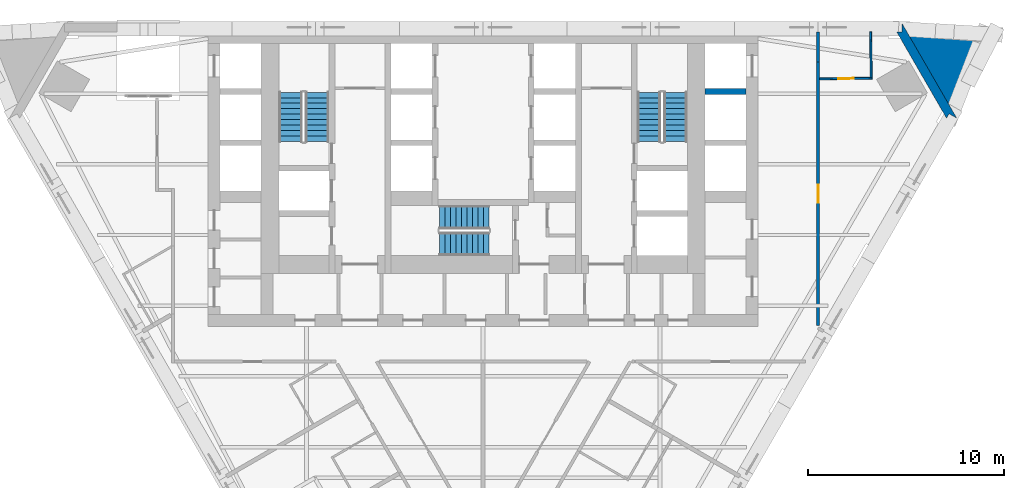
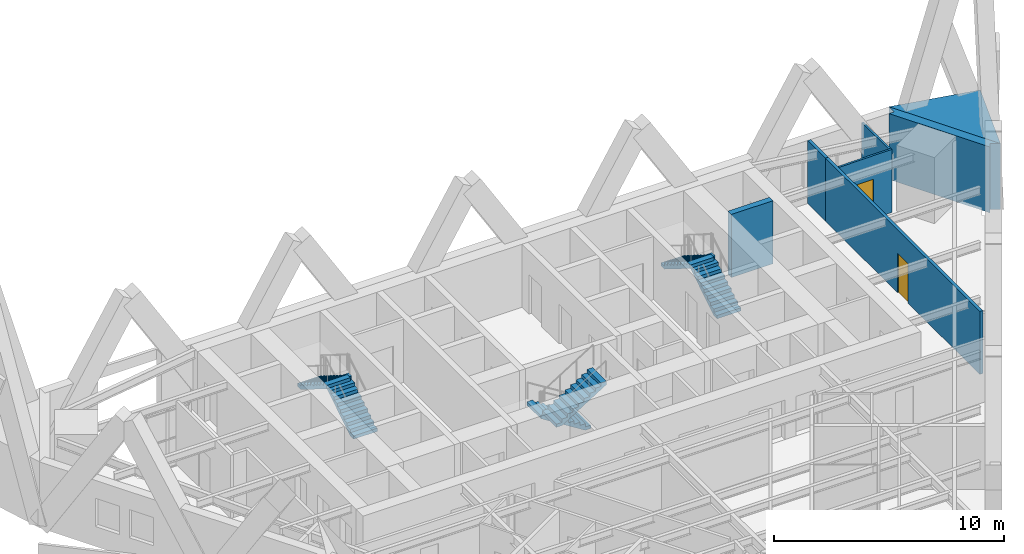
# One storey, part 9 of 11: 7 walls, 6 stair flights, 2 doors, 2 openings, 3 elements without a shape of their own.
"""IFC4 building model written with IfcOpenShell, lengths in metres."""

from ifc_helpers import new_model, si_unit, direction, frame, frame_2d, origin, place, context, subcontext, project, spatial, polyline, rectangle, outline, extrude, material, layer, layer_set, type_object, element, fill, aggregate, save


model = new_model("IFC4")

# Units and contexts
model_context = context("Model", 3, precision=1e-05, world=origin(), true_north=direction((0.0, 1.0)))
body_context = subcontext(model_context, "Body", "Model", "MODEL_VIEW")
ifc_project = project(units=[si_unit("LENGTHUNIT", "METRE"), si_unit("AREAUNIT", "SQUARE_METRE"), si_unit("VOLUMEUNIT", "CUBIC_METRE"), si_unit("PLANEANGLEUNIT", "RADIAN"), si_unit("MASSUNIT", "GRAM", prefix="KILO")], contexts=[model_context])

# Site, building, storey
site_placement = place(None, origin())
site = spatial("IfcSite", under=ifc_project, at=site_placement, CompositionType="ELEMENT")
building_placement = place(site_placement, origin())
building = spatial("IfcBuilding", under=site, at=building_placement, Name="Aloe Facet Convention Tower", CompositionType="ELEMENT")
storey_placement = place(building_placement, frame((0.0, 0.0, 95.800048828125)))
storey = spatial("IfcBuildingStorey", under=building, at=storey_placement, Name="L23", CompositionType="ELEMENT", Elevation=95.800048828125)

# Walls
ifc_material_1 = material(Name="Concrete C70/85", Category="concrete")
ifc_layer_1 = layer(ifc_material_1, 0.300048828125)
ifc_layer_set_1 = layer_set([ifc_layer_1], Name="CR-W-RC300-C7085")
wall_type_1 = type_object("IfcWallType", Name="CR-W-RC300-C7085", PredefinedType="SOLIDWALL", material=ifc_layer_set_1)
wall_1_placement = place(storey_placement, frame((91.300048828125, 131.5, 0.0), z_axis=(0.0, 0.0, 1.0), x_axis=(1.0, 0.0, 0.0)))
element("IfcWall", 1, at=wall_1_placement, inside=storey, type_object=wall_type_1, Name="Core wall L23-049", PredefinedType="SOLIDWALL", context=body_context, shape_type="SweptSolid", body=[
    extrude(rectangle(XDim=2.099853515625, YDim=0.300048828125, at=frame_2d((1.0498046875, 0.0))), origin(), (0.0, 0.0, 1.0), 3.349853515625),
])
ifc_material_2 = material(Name="Precast concrete C40/50", Category="concrete")
ifc_layer_2 = layer(ifc_material_2, 0.449951171875)
ifc_layer_set_2 = layer_set([ifc_layer_2], Name="EV-WALL-PIER")
wall_type_2 = type_object("IfcWallType", Name="EV-WALL-PIER", PredefinedType="SOLIDWALL", material=ifc_layer_set_2)
wall_2_placement = place(storey_placement, frame((0.0, 0.0, -0.150146484375)))
element("IfcWall", 2, at=wall_2_placement, inside=storey, type_object=wall_type_2, Name="EP-L23-C", PredefinedType="SOLIDWALL", context=body_context, shape_type="SweptSolid", body=[
    extrude(outline(polyline([(104.12158203125, 130.150146484375), (103.73193359375, 130.375244140625), (103.601806640625, 130.150146484375), (101.061767578125, 134.550048828125), (101.321533203125, 134.550048828125), (101.321533203125, 135.0), (104.12158203125, 130.150146484375)])), origin(), (0.0, 0.0, 1.0), 3.5),
])
ifc_material_3 = material(Name="Precast concrete C40/50", Category="concrete")
ifc_layer_3 = layer(ifc_material_3, 3.947998046875)
ifc_layer_set_3 = layer_set([ifc_layer_3], Name="EV-WALL-SPINE")
wall_type_3 = type_object("IfcWallType", Name="EV-WALL-SPINE", PredefinedType="SOLIDWALL", material=ifc_layer_set_3)
wall_3_placement = place(storey_placement, frame((0.0, 0.0, -0.150146484375)))
element("IfcWall", 3, at=wall_3_placement, inside=storey, type_object=wall_type_3, Name="SP-NE-L23", PredefinedType="SOLIDWALL", context=body_context, shape_type="SweptSolid", body=[
    extrude(outline(polyline([(104.12158203125, 130.150146484375), (105.397216796875, 134.118408203125), (101.321533203125, 135.0), (104.12158203125, 130.150146484375)])), origin(), (0.0, 0.0, 1.0), 3.5),
])
ifc_material_4 = material(Name="Gypsum board partition on steel studs", Category="steel")
ifc_layer_4 = layer(ifc_material_4, 0.14990234375)
ifc_layer_set_4 = layer_set([ifc_layer_4], Name="IN-W-CORR")
wall_type_4 = type_object("IfcWallType", Name="IN-W-CORR", PredefinedType="PARTITIONING", material=ifc_layer_set_4)
wall_4_placement = place(storey_placement, frame((97.05712890625, 133.010986328125, 0.0), z_axis=(0.0, 0.0, 1.0), x_axis=(0.0, 1.0, 0.0)))
element("IfcWall", 4, at=wall_4_placement, inside=storey, type_object=wall_type_4, Name="Partition L23-W070", PredefinedType="PARTITIONING", context=body_context, shape_type="SweptSolid", body=[
    extrude(rectangle(XDim=1.5390625, YDim=0.14990234375, at=frame_2d((0.76953125, 0.0))), origin(), (0.0, 0.0, 1.0), 3.349853515625),
])

# Wall, opening, door
wall_5_placement = place(storey_placement, frame((97.05712890625, 119.586669921875, 0.0), z_axis=(0.0, 0.0, 1.0), x_axis=(0.0, 1.0, 0.0)))
wall_5 = element("IfcWall", 5, at=wall_5_placement, inside=storey, type_object=wall_type_4, Name="Partition L23-W071", PredefinedType="PARTITIONING", context=body_context, shape_type="SweptSolid", body=[
    extrude(rectangle(XDim=13.42431640625, YDim=0.14990234375, at=frame_2d((6.712158203125, 0.0))), origin(), (0.0, 0.0, 1.0), 3.349853515625),
])
opening_1_placement = place(wall_5_placement, frame((6.26220703125, 0.0, 0.0)))
opening_1 = element("IfcOpeningElement", 6, at=opening_1_placement, cuts=wall_5, Name="Opening L23-006", PredefinedType="OPENING", context=body_context, shape_type="SweptSolid", body=[
    extrude(rectangle(XDim=0.89990234375, YDim=2.10009765625, at=frame_2d((0.449951171875, 1.050048828125))), frame((0.0, 0.0849609375, 0.0), z_axis=(0.0, -1.0, 0.0), x_axis=(1.0, 0.0, 0.0)), (0.0, 0.0, 1.0), 0.169921875),
])
ifc_material_5 = material(Name="Hardwood flush door FD30S", Category="wood")
door_type_1 = type_object("IfcDoorType", Name="IN-D-GUEST", OperationType="SINGLE_SWING_LEFT", PredefinedType="DOOR", material=ifc_material_5)
door_1_placement = place(opening_1_placement, origin())
door_1 = element("IfcDoor", 7, at=door_1_placement, inside=storey, type_object=door_type_1, Name="Door L23-006", OperationType="SINGLE_SWING_LEFT", OverallHeight=2.10009765625, OverallWidth=0.89990234375, PredefinedType="DOOR", context=body_context, shape_type="SweptSolid", body=[
    extrude(rectangle(XDim=0.89990234375, YDim=2.10009765625, at=frame_2d((0.449951171875, 1.050048828125))), frame((0.0, 0.02490234375, 0.0), z_axis=(0.0, -1.0, 0.0), x_axis=(1.0, 0.0, 0.0)), (0.0, 0.0, 1.0), 0.050048828125),
])
fill(opening_1, door_1)

ifc_material_6 = material(Name="Gypsum board partition on steel studs", Category="steel")
ifc_layer_5 = layer(ifc_material_6, 0.10009765625)
ifc_layer_set_5 = layer_set([ifc_layer_5], Name="IN-W-PART")
wall_type_5 = type_object("IfcWallType", Name="IN-W-PART", PredefinedType="PARTITIONING", material=ifc_layer_set_5)
wall_6_placement = place(storey_placement, frame((97.142822265625, 132.14990234375, 0.0), z_axis=(0.0, 0.0, 1.0), x_axis=(0.999914830804, 0.013051097189, 0.0)))
wall_6 = element("IfcWall", 8, at=wall_6_placement, inside=storey, type_object=wall_type_5, Name="Partition L23-W067", PredefinedType="PARTITIONING", context=body_context, shape_type="SweptSolid", body=[
    extrude(rectangle(XDim=2.675048828125, YDim=0.10009765625, at=frame_2d((1.33740234375, 0.0))), origin(), (0.0, 0.0, 1.0), 3.349853515625),
])
opening_2_placement = place(wall_6_placement, frame((0.9375, 0.0, 0.0)))
opening_2 = element("IfcOpeningElement", 9, at=opening_2_placement, cuts=wall_6, Name="Opening L23-017", PredefinedType="OPENING", context=body_context, shape_type="SweptSolid", body=[
    extrude(rectangle(XDim=0.800048828125, YDim=2.10009765625, at=frame_2d((0.39990234375, 1.050048828125))), frame((0.0, 0.06005859375, 0.0), z_axis=(0.0, -1.0, 0.0), x_axis=(1.0, 0.0, 0.0)), (0.0, 0.0, 1.0), 0.1201171875),
])
ifc_material_7 = material(Name="Timber flush door", Category="wood")
door_type_2 = type_object("IfcDoorType", Name="IN-D-BATH", OperationType="SINGLE_SWING_LEFT", PredefinedType="DOOR", material=ifc_material_7)
door_2_placement = place(opening_2_placement, origin())
door_2 = element("IfcDoor", 10, at=door_2_placement, inside=storey, type_object=door_type_2, Name="Door L23-017", OperationType="SINGLE_SWING_LEFT", OverallHeight=2.10009765625, OverallWidth=0.800048828125, PredefinedType="DOOR", context=body_context, shape_type="SweptSolid", body=[
    extrude(rectangle(XDim=0.800048828125, YDim=2.10009765625, at=frame_2d((0.39990234375, 1.050048828125))), frame((0.0, 0.02490234375, 0.0), z_axis=(0.0, -1.0, 0.0), x_axis=(1.0, 0.0, 0.0)), (0.0, 0.0, 1.0), 0.050048828125),
])
fill(opening_2, door_2)

# Wall
wall_7_placement = place(storey_placement, frame((99.73681640625, 134.550048828125, 0.0), z_axis=(0.0, 0.0, 1.0), x_axis=(0.012965387027, -0.999915945837, 0.0)))
element("IfcWall", 11, at=wall_7_placement, inside=storey, type_object=wall_type_5, Name="Partition L23-W072", PredefinedType="PARTITIONING", context=body_context, shape_type="SweptSolid", body=[
    extrude(rectangle(XDim=2.316162109375, YDim=0.10009765625, at=frame_2d((1.158203125, 0.0))), origin(), (0.0, 0.0, 1.0), 3.349853515625),
])

# Stair, stair flights
ifc_material_8 = material(Name="Concrete C50/60", Category="concrete")
stair_type = type_object("IfcStairType", Name="CR-ST-20R", PredefinedType="HALF_TURN_STAIR", material=ifc_material_8)
stair_1_placement = place(storey_placement, origin())
stair_1 = element("IfcStair", 12, at=stair_1_placement, inside=storey, type_object=stair_type, Name="L23 Protected exit stair ST1", PredefinedType="HALF_TURN_STAIR")
ifc_material_9 = material(Name="Concrete C50/60", Category="concrete")
stair_flight_type = type_object("IfcStairFlightType", Name="CR-SFL-20R", PredefinedType="STRAIGHT", material=ifc_material_9)
stair_flight_1_placement = place(storey_placement, frame((71.550048828125, 128.949951171875, 0.0), z_axis=(0.0, 0.0, 1.0), x_axis=(0.0, 1.0, 0.0)))
stair_flight_1 = element("IfcStairFlight", 13, at=stair_flight_1_placement, type_object=stair_flight_type, Name="ST1 flight 1", NumberOfRisers=10, NumberOfTreads=9, PredefinedType="STRAIGHT", RiserHeight=0.175, TreadLength=0.28, context=body_context, shape_type="SweptSolid", body=[
    extrude(outline(polyline([(0.0, 0.0), (0.0, 0.175048828125), (0.280029296875, 0.175048828125), (0.280029296875, 0.35009765625), (0.56005859375, 0.35009765625), (0.56005859375, 0.52490234375), (0.840087890625, 0.52490234375), (0.840087890625, 0.699951171875), (1.1201171875, 0.699951171875), (1.1201171875, 0.875), (1.39990234375, 0.875), (1.39990234375, 1.050048828125), (1.679931640625, 1.050048828125), (1.679931640625, 1.22509765625), (1.9599609375, 1.22509765625), (1.9599609375, 1.39990234375), (2.239990234375, 1.39990234375), (2.239990234375, 1.574951171875), (2.52001953125, 1.574951171875), (2.52001953125, 1.75), (2.52001953125, 1.398193359375), (0.28271484375, 0.0), (0.0, 0.0)])), frame((0.0, 0.60009765625, 0.0), z_axis=(0.0, -1.0, 0.0), x_axis=(1.0, 0.0, 0.0)), (0.0, 0.0, 1.0), 1.199951171875),
])
stair_flight_2_placement = place(storey_placement, frame((70.199951171875, 131.469970703125, 1.75), z_axis=(0.0, 0.0, 1.0), x_axis=(0.0, -1.0, 0.0)))
stair_flight_2 = element("IfcStairFlight", 14, at=stair_flight_2_placement, type_object=stair_flight_type, Name="ST1 flight 2", NumberOfRisers=10, NumberOfTreads=9, PredefinedType="STRAIGHT", RiserHeight=0.175, TreadLength=0.28, context=body_context, shape_type="SweptSolid", body=[
    extrude(outline(polyline([(0.0, 0.0), (0.0, 0.175048828125), (0.280029296875, 0.175048828125), (0.280029296875, 0.35009765625), (0.56005859375, 0.35009765625), (0.56005859375, 0.52490234375), (0.840087890625, 0.52490234375), (0.840087890625, 0.699951171875), (1.1201171875, 0.699951171875), (1.1201171875, 0.875), (1.39990234375, 0.875), (1.39990234375, 1.050048828125), (1.679931640625, 1.050048828125), (1.679931640625, 1.22509765625), (1.9599609375, 1.22509765625), (1.9599609375, 1.39990234375), (2.239990234375, 1.39990234375), (2.239990234375, 1.574951171875), (2.52001953125, 1.574951171875), (2.52001953125, 1.75), (2.52001953125, 1.398193359375), (0.28271484375, 0.0), (0.0, 0.0)])), frame((0.0, 0.60009765625, 0.0), z_axis=(0.0, -1.0, 0.0), x_axis=(1.0, 0.0, 0.0)), (0.0, 0.0, 1.0), 1.199951171875),
])
aggregate(stair_1, [stair_flight_1, stair_flight_2])

stair_2_placement = place(storey_placement, origin())
stair_2 = element("IfcStair", 15, at=stair_2_placement, inside=storey, type_object=stair_type, Name="L23 Protected exit stair ST2", PredefinedType="HALF_TURN_STAIR")
stair_flight_3_placement = place(storey_placement, frame((89.800048828125, 128.949951171875, 0.0), z_axis=(0.0, 0.0, 1.0), x_axis=(0.0, 1.0, 0.0)))
stair_flight_3 = element("IfcStairFlight", 16, at=stair_flight_3_placement, type_object=stair_flight_type, Name="ST2 flight 1", NumberOfRisers=10, NumberOfTreads=9, PredefinedType="STRAIGHT", RiserHeight=0.175, TreadLength=0.28, context=body_context, shape_type="SweptSolid", body=[
    extrude(outline(polyline([(0.0, 0.0), (0.0, 0.175048828125), (0.280029296875, 0.175048828125), (0.280029296875, 0.35009765625), (0.56005859375, 0.35009765625), (0.56005859375, 0.52490234375), (0.840087890625, 0.52490234375), (0.840087890625, 0.699951171875), (1.1201171875, 0.699951171875), (1.1201171875, 0.875), (1.39990234375, 0.875), (1.39990234375, 1.050048828125), (1.679931640625, 1.050048828125), (1.679931640625, 1.22509765625), (1.9599609375, 1.22509765625), (1.9599609375, 1.39990234375), (2.239990234375, 1.39990234375), (2.239990234375, 1.574951171875), (2.52001953125, 1.574951171875), (2.52001953125, 1.75), (2.52001953125, 1.398193359375), (0.28271484375, 0.0), (0.0, 0.0)])), frame((0.0, 0.60009765625, 0.0), z_axis=(0.0, -1.0, 0.0), x_axis=(1.0, 0.0, 0.0)), (0.0, 0.0, 1.0), 1.199951171875),
])
stair_flight_4_placement = place(storey_placement, frame((88.449951171875, 131.469970703125, 1.75), z_axis=(0.0, 0.0, 1.0), x_axis=(0.0, -1.0, 0.0)))
stair_flight_4 = element("IfcStairFlight", 17, at=stair_flight_4_placement, type_object=stair_flight_type, Name="ST2 flight 2", NumberOfRisers=10, NumberOfTreads=9, PredefinedType="STRAIGHT", RiserHeight=0.175, TreadLength=0.28, context=body_context, shape_type="SweptSolid", body=[
    extrude(outline(polyline([(0.0, 0.0), (0.0, 0.175048828125), (0.280029296875, 0.175048828125), (0.280029296875, 0.35009765625), (0.56005859375, 0.35009765625), (0.56005859375, 0.52490234375), (0.840087890625, 0.52490234375), (0.840087890625, 0.699951171875), (1.1201171875, 0.699951171875), (1.1201171875, 0.875), (1.39990234375, 0.875), (1.39990234375, 1.050048828125), (1.679931640625, 1.050048828125), (1.679931640625, 1.22509765625), (1.9599609375, 1.22509765625), (1.9599609375, 1.39990234375), (2.239990234375, 1.39990234375), (2.239990234375, 1.574951171875), (2.52001953125, 1.574951171875), (2.52001953125, 1.75), (2.52001953125, 1.398193359375), (0.28271484375, 0.0), (0.0, 0.0)])), frame((0.0, 0.60009765625, 0.0), z_axis=(0.0, -1.0, 0.0), x_axis=(1.0, 0.0, 0.0)), (0.0, 0.0, 1.0), 1.199951171875),
])
aggregate(stair_2, [stair_flight_3, stair_flight_4])

stair_3_placement = place(storey_placement, origin())
stair_3 = element("IfcStair", 18, at=stair_3_placement, inside=storey, type_object=stair_type, Name="L23 Protected exit stair ST3", PredefinedType="HALF_TURN_STAIR")
stair_flight_5_placement = place(storey_placement, frame((80.300048828125, 125.10009765625, 0.0), z_axis=(0.0, 0.0, 1.0), x_axis=(-1.0, 0.0, 0.0)))
stair_flight_5 = element("IfcStairFlight", 19, at=stair_flight_5_placement, type_object=stair_flight_type, Name="ST3 flight 1", NumberOfRisers=10, NumberOfTreads=9, PredefinedType="STRAIGHT", RiserHeight=0.175, TreadLength=0.28, context=body_context, shape_type="SweptSolid", body=[
    extrude(outline(polyline([(0.0, 0.0), (0.0, 0.175048828125), (0.280029296875, 0.175048828125), (0.280029296875, 0.35009765625), (0.56005859375, 0.35009765625), (0.56005859375, 0.52490234375), (0.840087890625, 0.52490234375), (0.840087890625, 0.699951171875), (1.1201171875, 0.699951171875), (1.1201171875, 0.875), (1.39990234375, 0.875), (1.39990234375, 1.050048828125), (1.679931640625, 1.050048828125), (1.679931640625, 1.22509765625), (1.9599609375, 1.22509765625), (1.9599609375, 1.39990234375), (2.239990234375, 1.39990234375), (2.239990234375, 1.574951171875), (2.52001953125, 1.574951171875), (2.52001953125, 1.75), (2.52001953125, 1.398193359375), (0.28271484375, 0.0), (0.0, 0.0)])), frame((0.0, 0.60009765625, 0.0), z_axis=(0.0, -1.0, 0.0), x_axis=(1.0, 0.0, 0.0)), (0.0, 0.0, 1.0), 1.199951171875),
])
stair_flight_6_placement = place(storey_placement, frame((77.780029296875, 123.75, 1.75), z_axis=(0.0, 0.0, 1.0), x_axis=(1.0, 0.0, 0.0)))
stair_flight_6 = element("IfcStairFlight", 20, at=stair_flight_6_placement, type_object=stair_flight_type, Name="ST3 flight 2", NumberOfRisers=10, NumberOfTreads=9, PredefinedType="STRAIGHT", RiserHeight=0.175, TreadLength=0.28, context=body_context, shape_type="SweptSolid", body=[
    extrude(outline(polyline([(0.0, 0.0), (0.0, 0.175048828125), (0.280029296875, 0.175048828125), (0.280029296875, 0.35009765625), (0.56005859375, 0.35009765625), (0.56005859375, 0.52490234375), (0.840087890625, 0.52490234375), (0.840087890625, 0.699951171875), (1.1201171875, 0.699951171875), (1.1201171875, 0.875), (1.39990234375, 0.875), (1.39990234375, 1.050048828125), (1.679931640625, 1.050048828125), (1.679931640625, 1.22509765625), (1.9599609375, 1.22509765625), (1.9599609375, 1.39990234375), (2.239990234375, 1.39990234375), (2.239990234375, 1.574951171875), (2.52001953125, 1.574951171875), (2.52001953125, 1.75), (2.52001953125, 1.398193359375), (0.28271484375, 0.0), (0.0, 0.0)])), frame((0.0, 0.60009765625, 0.0), z_axis=(0.0, -1.0, 0.0), x_axis=(1.0, 0.0, 0.0)), (0.0, 0.0, 1.0), 1.199951171875),
])
aggregate(stair_3, [stair_flight_5, stair_flight_6])

save(model, "model.ifc")
